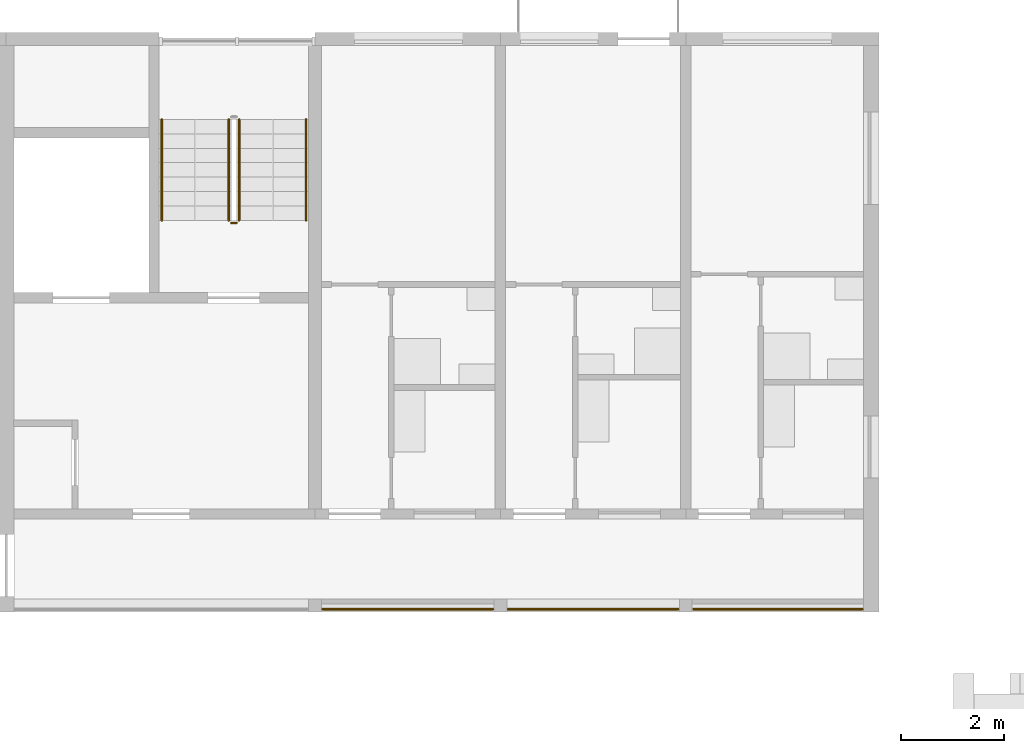
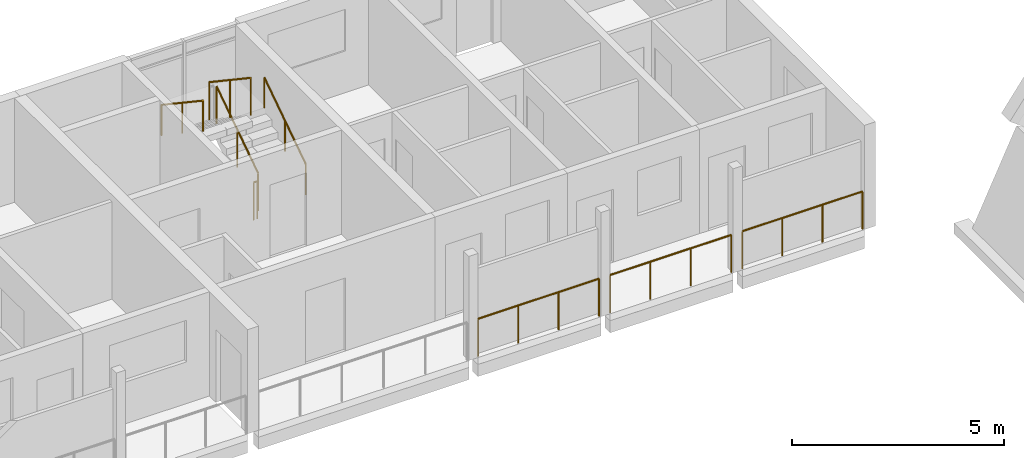
# One storey, part 82 of 100: 8 railings.
"""IFC4 building model written with IfcOpenShell, lengths in metres."""

from ifc_helpers import new_model, si_unit, direction, frame, origin, origin_2d, place, context, subcontext, project, spatial, circle, extrude, material, type_object, element, save


model = new_model("IFC4")

# Units and contexts
model_context = context("Model", 3, precision=1e-05, world=origin(), true_north=direction((0.0, 1.0)))
body_context = subcontext(model_context, "Body", "Model", "MODEL_VIEW")
ifc_project = project(units=[si_unit("LENGTHUNIT", "METRE"), si_unit("AREAUNIT", "SQUARE_METRE"), si_unit("VOLUMEUNIT", "CUBIC_METRE"), si_unit("PLANEANGLEUNIT", "RADIAN"), si_unit("MASSUNIT", "GRAM", prefix="KILO")], contexts=[model_context])

# Site, building, storey
site_placement = place(None, origin())
site = spatial("IfcSite", under=ifc_project, at=site_placement, CompositionType="ELEMENT")
building_placement = place(site_placement, origin())
building = spatial("IfcBuilding", under=site, at=building_placement, Name="Ridgestep Commons", CompositionType="ELEMENT")
storey_placement = place(building_placement, frame((0.0, 0.0, 9.0)))
storey = spatial("IfcBuildingStorey", under=building, at=storey_placement, Name="L03", CompositionType="ELEMENT", Elevation=9.0)

# Railings
ifc_material_1 = material(Name="Structural steel S355JR", Category="steel")
railing_type_1 = type_object("IfcRailingType", Name="Guard 1100", PredefinedType="GUARDRAIL", material=ifc_material_1)
railing_1_placement = place(storey_placement, frame((102.14599609375, 66.050048828125, 0.0)))
element("IfcRailing", 1, at=railing_1_placement, inside=storey, type_object=railing_type_1, Name="Gallery guard B 03.22", PredefinedType="GUARDRAIL", context=body_context, shape_type="SweptSolid", body=[
    extrude(circle(Radius=0.02392578125, at=origin_2d()), frame((0.0, 0.0, 1.076171875), z_axis=(1.0, 0.0, 0.0), x_axis=(0.0, 1.0, 0.0)), (0.0, 0.0, 1.0), 3.30810546875),
    extrude(circle(Radius=0.02099609375, at=origin_2d()), origin(), (0.0, 0.0, 1.0), 1.052001953125),
    extrude(circle(Radius=0.02099609375, at=origin_2d()), frame((1.102783203125, 0.0, 0.0)), (0.0, 0.0, 1.0), 1.052001953125),
    extrude(circle(Radius=0.02099609375, at=origin_2d()), frame((2.205322265625, 0.0, 0.0)), (0.0, 0.0, 1.0), 1.052001953125),
    extrude(circle(Radius=0.02099609375, at=origin_2d()), frame((3.30810546875, 0.0, 0.0)), (0.0, 0.0, 1.0), 1.052001953125),
])
railing_2_placement = place(storey_placement, frame((105.74609375, 66.050048828125, 0.0)))
element("IfcRailing", 2, at=railing_2_placement, inside=storey, type_object=railing_type_1, Name="Gallery guard B 03.23", PredefinedType="GUARDRAIL", context=body_context, shape_type="SweptSolid", body=[
    extrude(circle(Radius=0.02392578125, at=origin_2d()), frame((0.0, 0.0, 1.076171875), z_axis=(1.0, 0.0, 0.0), x_axis=(0.0, 1.0, 0.0)), (0.0, 0.0, 1.0), 3.307861328125),
    extrude(circle(Radius=0.02099609375, at=origin_2d()), origin(), (0.0, 0.0, 1.0), 1.052001953125),
    extrude(circle(Radius=0.02099609375, at=origin_2d()), frame((1.1025390625, 0.0, 0.0)), (0.0, 0.0, 1.0), 1.052001953125),
    extrude(circle(Radius=0.02099609375, at=origin_2d()), frame((2.205322265625, 0.0, 0.0)), (0.0, 0.0, 1.0), 1.052001953125),
    extrude(circle(Radius=0.02099609375, at=origin_2d()), frame((3.307861328125, 0.0, 0.0)), (0.0, 0.0, 1.0), 1.052001953125),
])
railing_3_placement = place(storey_placement, frame((109.345947265625, 66.050048828125, 0.0)))
element("IfcRailing", 3, at=railing_3_placement, inside=storey, type_object=railing_type_1, Name="Gallery guard B 03.24", PredefinedType="GUARDRAIL", context=body_context, shape_type="SweptSolid", body=[
    extrude(circle(Radius=0.02392578125, at=origin_2d()), frame((0.0, 0.0, 1.076171875), z_axis=(1.0, 0.0, 0.0), x_axis=(0.0, 1.0, 0.0)), (0.0, 0.0, 1.0), 3.282958984375),
    extrude(circle(Radius=0.02099609375, at=origin_2d()), origin(), (0.0, 0.0, 1.0), 1.052001953125),
    extrude(circle(Radius=0.02099609375, at=origin_2d()), frame((1.09423828125, 0.0, 0.0)), (0.0, 0.0, 1.0), 1.052001953125),
    extrude(circle(Radius=0.02099609375, at=origin_2d()), frame((2.188720703125, 0.0, 0.0)), (0.0, 0.0, 1.0), 1.052001953125),
    extrude(circle(Radius=0.02099609375, at=origin_2d()), frame((3.282958984375, 0.0, 0.0)), (0.0, 0.0, 1.0), 1.052001953125),
])
ifc_material_2 = material(Name="Structural steel S355JR", Category="steel")
railing_type_2 = type_object("IfcRailingType", Name="Stair guard 1100", PredefinedType="GUARDRAIL", material=ifc_material_2)
railing_4_placement = place(storey_placement, frame((100.52490234375, 73.60009765625, 0.1875)))
element("IfcRailing", 4, at=railing_4_placement, inside=storey, type_object=railing_type_2, Name="L03 B6C stair guard 1", PredefinedType="GUARDRAIL", context=body_context, shape_type="SweptSolid", body=[
    extrude(circle(Radius=0.02392578125, at=origin_2d()), frame((0.0, 0.0, 1.076171875), z_axis=(0.0, 0.830902050051, 0.556418712142), x_axis=(-1.0, 0.0, 0.0)), (0.0, 0.0, 1.0), 2.35888671875),
    extrude(circle(Radius=0.02099609375, at=origin_2d()), origin(), (0.0, 0.0, 1.0), 1.052001953125),
    extrude(circle(Radius=0.02099609375, at=origin_2d()), frame((0.0, 0.97998046875, 0.65625)), (0.0, 0.0, 1.0), 1.052001953125),
    extrude(circle(Radius=0.02099609375, at=origin_2d()), frame((0.0, 1.9599609375, 1.3125)), (0.0, 0.0, 1.0), 1.052001953125),
])
railing_5_placement = place(storey_placement, frame((100.324951171875, 75.56005859375, 1.6875)))
element("IfcRailing", 5, at=railing_5_placement, inside=storey, type_object=railing_type_2, Name="L03 B6C stair guard 3", PredefinedType="GUARDRAIL", context=body_context, shape_type="SweptSolid", body=[
    extrude(circle(Radius=0.02392578125, at=origin_2d()), frame((0.0, 0.0, 1.076171875), z_axis=(0.0, -0.830902050051, 0.556418712142), x_axis=(1.0, 0.0, 0.0)), (0.0, 0.0, 1.0), 2.35888671875),
    extrude(circle(Radius=0.02099609375, at=origin_2d()), origin(), (0.0, 0.0, 1.0), 1.052001953125),
    extrude(circle(Radius=0.02099609375, at=origin_2d()), frame((0.0, -0.97998046875, 0.65625)), (0.0, 0.0, 1.0), 1.052001953125),
    extrude(circle(Radius=0.02099609375, at=origin_2d()), frame((0.0, -1.9599609375, 1.3125)), (0.0, 0.0, 1.0), 1.052001953125),
])
railing_6_placement = place(storey_placement, frame((100.47509765625, 73.550048828125, 0.0)))
element("IfcRailing", 6, at=railing_6_placement, inside=storey, type_object=railing_type_2, Name="L03 B6C stair guard 4", PredefinedType="GUARDRAIL", context=body_context, shape_type="SweptSolid", body=[
    extrude(circle(Radius=0.02392578125, at=origin_2d()), frame((0.0, 0.0, 1.076171875), z_axis=(-1.0, 0.0, 0.0), x_axis=(0.0, -1.0, 0.0)), (0.0, 0.0, 1.0), 0.10009765625),
    extrude(circle(Radius=0.02099609375, at=origin_2d()), origin(), (0.0, 0.0, 1.0), 1.052001953125),
    extrude(circle(Radius=0.02099609375, at=origin_2d()), frame((-0.10009765625, 0.0, 0.0)), (0.0, 0.0, 1.0), 1.052001953125),
])
ifc_material_3 = material(Name="Structural steel S355JR", Category="steel")
railing_type_3 = type_object("IfcRailingType", Name="Stair handrail 900", PredefinedType="HANDRAIL", material=ifc_material_3)
railing_7_placement = place(storey_placement, frame((101.824951171875, 73.60009765625, 0.1875)))
element("IfcRailing", 7, at=railing_7_placement, inside=storey, type_object=railing_type_3, Name="L03 B6C stair handrail 1", PredefinedType="HANDRAIL", context=body_context, shape_type="SweptSolid", body=[
    extrude(circle(Radius=0.02392578125, at=origin_2d()), frame((0.0, 0.0, 0.8759765625), z_axis=(0.0, 0.830902050051, 0.556418712142), x_axis=(-1.0, 0.0, 0.0)), (0.0, 0.0, 1.0), 2.35888671875),
    extrude(circle(Radius=0.02099609375, at=origin_2d()), origin(), (0.0, 0.0, 1.0), 0.851806640625),
    extrude(circle(Radius=0.02099609375, at=origin_2d()), frame((0.0, 0.97998046875, 0.65625)), (0.0, 0.0, 1.0), 0.851806640625),
    extrude(circle(Radius=0.02099609375, at=origin_2d()), frame((0.0, 1.9599609375, 1.3125)), (0.0, 0.0, 1.0), 0.851806640625),
])
railing_8_placement = place(storey_placement, frame((99.02490234375, 75.56005859375, 1.6875)))
element("IfcRailing", 8, at=railing_8_placement, inside=storey, type_object=railing_type_3, Name="L03 B6C stair handrail 2", PredefinedType="HANDRAIL", context=body_context, shape_type="SweptSolid", body=[
    extrude(circle(Radius=0.02392578125, at=origin_2d()), frame((0.0, 0.0, 0.8759765625), z_axis=(0.0, -0.830902050051, 0.556418712142), x_axis=(1.0, 0.0, 0.0)), (0.0, 0.0, 1.0), 2.35888671875),
    extrude(circle(Radius=0.02099609375, at=origin_2d()), origin(), (0.0, 0.0, 1.0), 0.851806640625),
    extrude(circle(Radius=0.02099609375, at=origin_2d()), frame((0.0, -0.97998046875, 0.65625)), (0.0, 0.0, 1.0), 0.851806640625),
    extrude(circle(Radius=0.02099609375, at=origin_2d()), frame((0.0, -1.9599609375, 1.3125)), (0.0, 0.0, 1.0), 0.851806640625),
])

save(model, "model.ifc")
